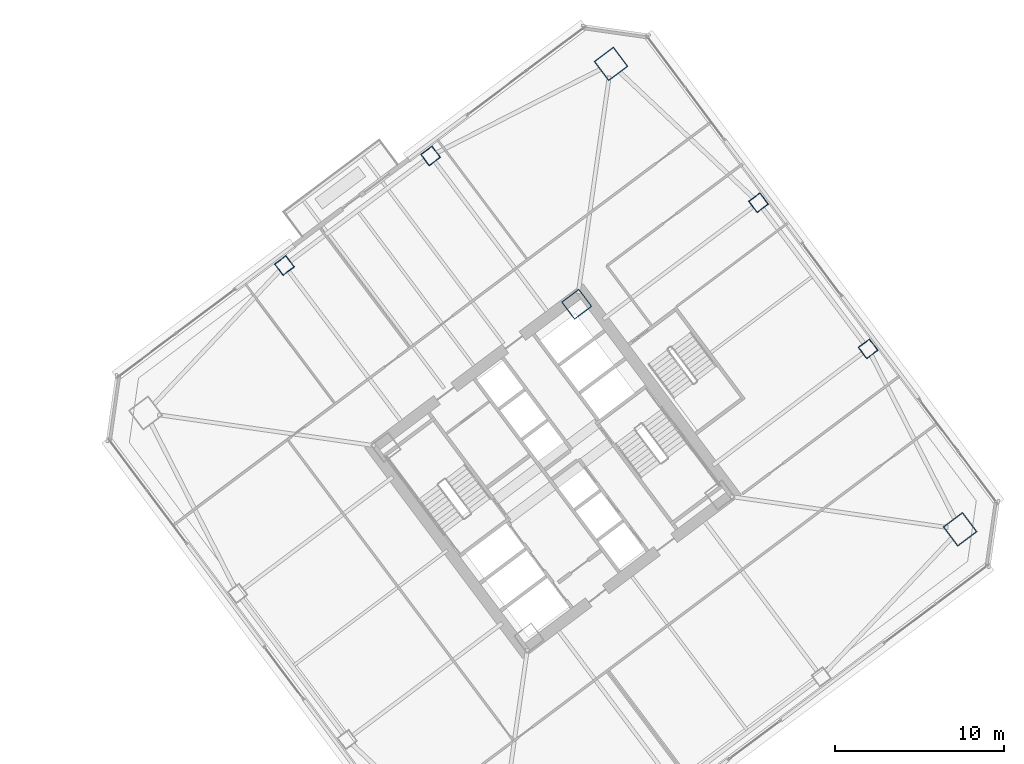
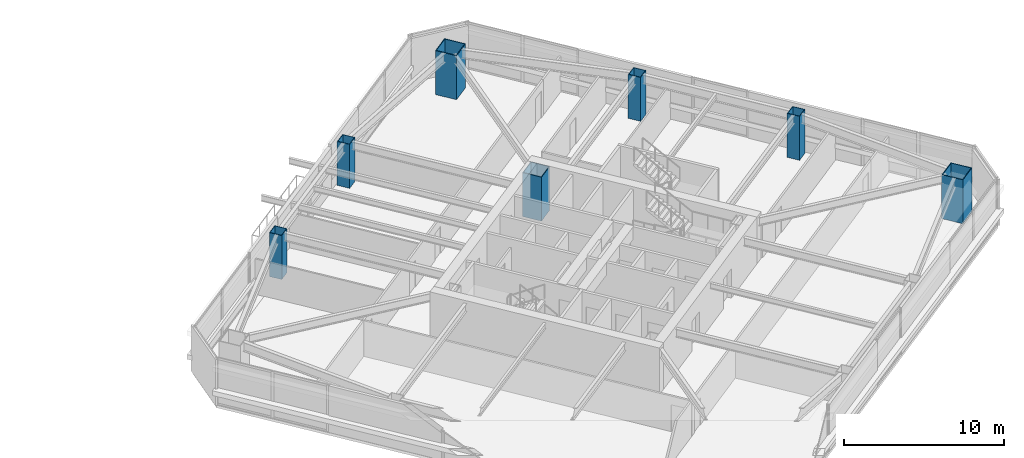
# One storey, part 2 of 44: 7 columns.
"""IFC4 building model written with IfcOpenShell, lengths in metres."""

from ifc_helpers import new_model, si_unit, direction, frame, origin, origin_2d, place, context, subcontext, project, spatial, hollow_rectangle, extrude, material, material_profile, profile_set, type_object, element, save


model = new_model("IFC4")

# Units and contexts
model_context = context("Model", 3, precision=1e-05, world=origin(), true_north=direction((0.0, 1.0)))
body_context = subcontext(model_context, "Body", "Model", "MODEL_VIEW")
ifc_project = project(units=[si_unit("LENGTHUNIT", "METRE"), si_unit("AREAUNIT", "SQUARE_METRE"), si_unit("VOLUMEUNIT", "CUBIC_METRE"), si_unit("PLANEANGLEUNIT", "RADIAN"), si_unit("MASSUNIT", "GRAM", prefix="KILO")], contexts=[model_context])

# Site, building, storey
site_placement = place(None, origin())
site = spatial("IfcSite", under=ifc_project, at=site_placement, CompositionType="ELEMENT")
building_placement = place(site_placement, origin())
building = spatial("IfcBuilding", under=site, at=building_placement, Name="Tashvorn Skyway Center", CompositionType="ELEMENT")
storey_placement = place(building_placement, frame((0.0, 0.0, 92.050048828125)))
storey = spatial("IfcBuildingStorey", under=building, at=storey_placement, Name="L24", CompositionType="ELEMENT", Elevation=92.050048828125)

# Columns
ifc_material = material(Name="Steel ASTM A572 Grade 50", Category="steel")
ifc_material_profile_1 = material_profile(ifc_material, hollow_rectangle(XDim=1.300048828125, YDim=1.300048828125, WallThickness=0.050048828125, at=origin_2d()), Name="BOX1300x1300x50")
ifc_profile_set_1 = profile_set([ifc_material_profile_1], Name="Steel ASTM A572 Grade 50")
column_type_1 = type_object("IfcColumnType", Name="COL-BOX1300x1300x50", PredefinedType="COLUMN", material=ifc_profile_set_1)
column_placement = place(storey_placement, frame((115.409912109375, 41.8701171875, 0.0), z_axis=(0.0, 0.0, 1.0), x_axis=(0.799999996291, 0.600000004945, 0.0)))
element("IfcColumn", 1, at=column_placement, inside=storey, type_object=column_type_1, Name="Tower 2 L24 Core Corner Column CC-NE", PredefinedType="COLUMN", context=body_context, shape_type="SweptSolid", body=[
    extrude(hollow_rectangle(XDim=1.300048828125, YDim=1.300048828125, WallThickness=0.050048828125, at=origin_2d()), origin(), (0.0, 0.0, 1.0), 3.349853515625),
])
ifc_material_profile_2 = material_profile(ifc_material, hollow_rectangle(XDim=1.449951171875, YDim=1.449951171875, WallThickness=0.054931640625, at=origin_2d()), Name="BOX1450x1450x55")
ifc_profile_set_2 = profile_set([ifc_material_profile_2], Name="Steel ASTM A572 Grade 50")
column_type_2 = type_object("IfcColumnType", Name="COL-BOX1450x1450x55", PredefinedType="COLUMN", material=ifc_profile_set_2)
for number, where, z_axis, x_axis, name in (
    (2, (138.080078125, 28.56005859375, 0.0), (0.0, 0.0, 1.0), (0.799999996291, 0.600000004945, 0.0), "Tower 2 L24 Mega-Column MC-SE"),
    (3, (117.43994140625, 56.080078125, 0.0), (0.0, 0.0, 1.0), (0.799999996291, 0.600000004945, 0.0), "Tower 2 L24 Mega-Column MC-NE"),
):
    element("IfcColumn", number, at=place(storey_placement, frame(where, z_axis=z_axis, x_axis=x_axis)), inside=storey, type_object=column_type_2, Name=name, PredefinedType="COLUMN", context=body_context, shape_type="SweptSolid", body=[
        extrude(hollow_rectangle(XDim=1.449951171875, YDim=1.449951171875, WallThickness=0.054931640625, at=origin_2d()), origin(), (0.0, 0.0, 1.0), 3.349853515625),
    ])
ifc_material_profile_3 = material_profile(ifc_material, hollow_rectangle(XDim=0.85009765625, YDim=0.85009765625, WallThickness=0.034912109375, at=origin_2d()), Name="BOX850x850x35")
ifc_profile_set_3 = profile_set([ifc_material_profile_3], Name="Steel ASTM A572 Grade 50")
column_type_3 = type_object("IfcColumnType", Name="COL-BOX850x850x35", PredefinedType="COLUMN", material=ifc_profile_set_3)
for number, where, z_axis, x_axis, name in (
    (4, (132.639892578125, 39.22998046875, 0.0), (0.0, 0.0, 1.0), (0.799999996291, 0.600000004945, 0.0), "Tower 2 L24 Perimeter Column FC-E1"),
    (5, (126.159912109375, 47.8701171875, 0.0), (0.0, 0.0, 1.0), (0.799999996291, 0.600000004945, 0.0), "Tower 2 L24 Perimeter Column FC-E2"),
    (6, (106.77001953125, 50.639892578125, 0.0), (0.0, 0.0, 1.0), (0.799999996291, 0.600000004945, 0.0), "Tower 2 L24 Perimeter Column FC-N1"),
    (7, (98.1298828125, 44.159912109375, 0.0), (0.0, 0.0, 1.0), (0.799999996291, 0.600000004945, 0.0), "Tower 2 L24 Perimeter Column FC-N2"),
):
    element("IfcColumn", number, at=place(storey_placement, frame(where, z_axis=z_axis, x_axis=x_axis)), inside=storey, type_object=column_type_3, Name=name, PredefinedType="COLUMN", context=body_context, shape_type="SweptSolid", body=[
        extrude(hollow_rectangle(XDim=0.85009765625, YDim=0.85009765625, WallThickness=0.034912109375, at=origin_2d()), origin(), (0.0, 0.0, 1.0), 3.349853515625),
    ])

save(model, "model.ifc")
